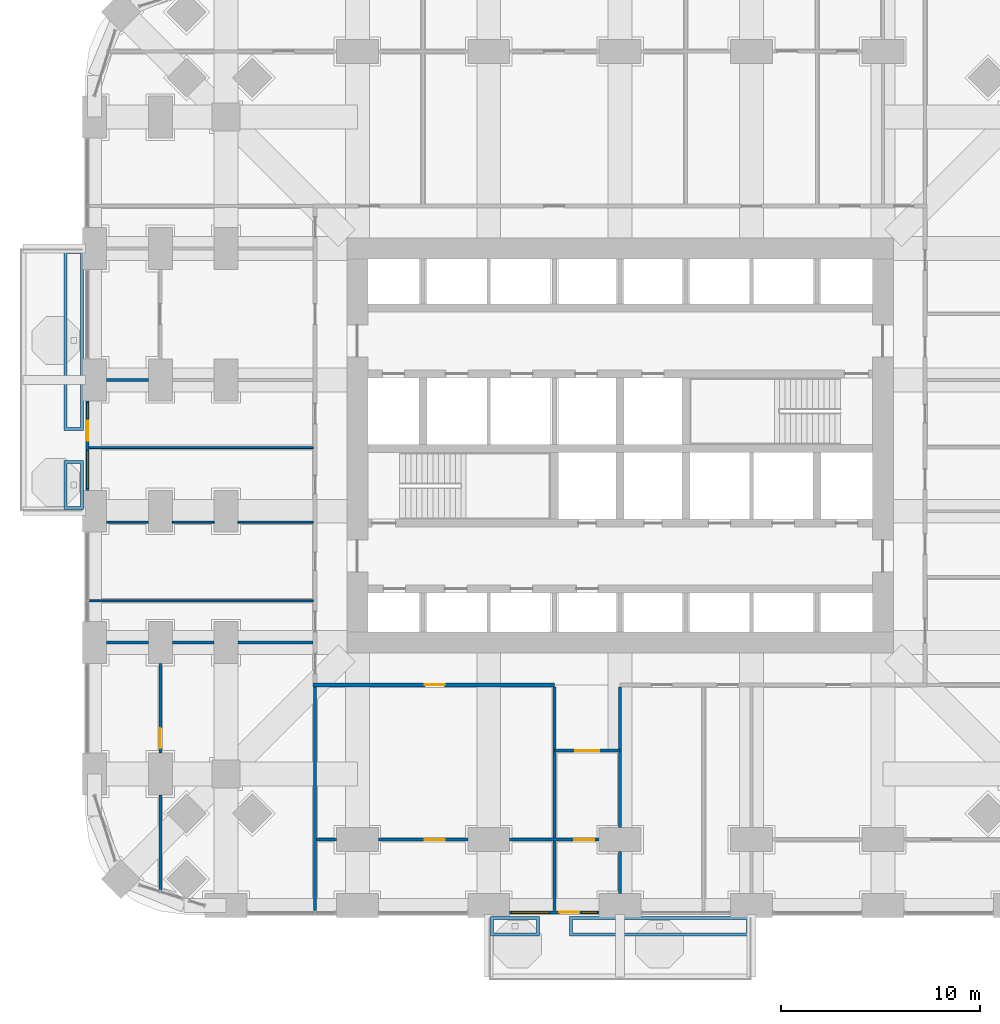
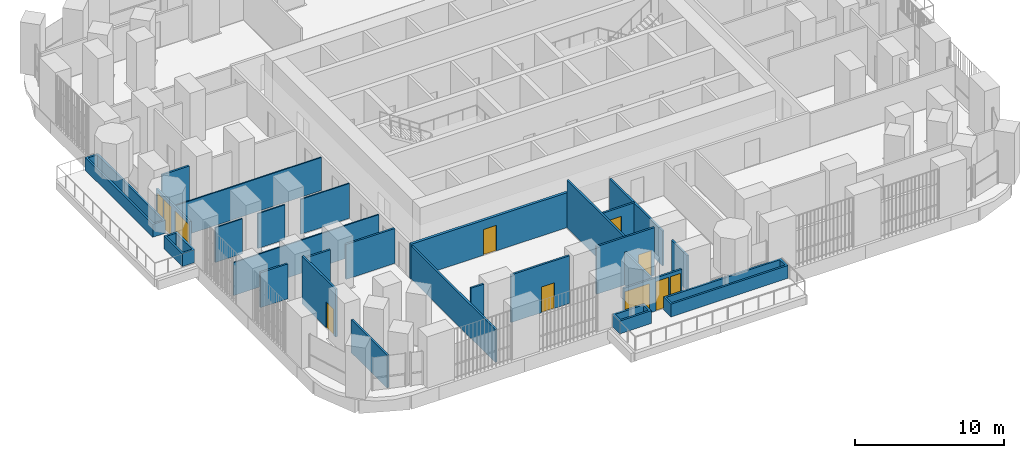
# One storey, part 17 of 26: 27 walls, 7 doors, 4 windows, 11 openings.
"""IFC4 building model written with IfcOpenShell, lengths in metres."""

from ifc_helpers import new_model, si_unit, direction, frame, frame_2d, origin, place, context, subcontext, project, spatial, polyline, rectangle, outline, extrude, material, layer, layer_set, type_object, element, fill, save


model = new_model("IFC4")

# Units and contexts
model_context = context("Model", 3, precision=1e-05, world=origin(), true_north=direction((0.0, 1.0)))
body_context = subcontext(model_context, "Body", "Model", "MODEL_VIEW")
ifc_project = project(units=[si_unit("LENGTHUNIT", "METRE"), si_unit("AREAUNIT", "SQUARE_METRE"), si_unit("VOLUMEUNIT", "CUBIC_METRE"), si_unit("PLANEANGLEUNIT", "RADIAN"), si_unit("MASSUNIT", "GRAM", prefix="KILO")], contexts=[model_context])

# Site, building, storey
site_placement = place(None, origin())
site = spatial("IfcSite", under=ifc_project, at=site_placement, CompositionType="ELEMENT")
building_placement = place(site_placement, origin())
building = spatial("IfcBuilding", under=site, at=building_placement, Name="Cobogo Forest Laboratory Tower", CompositionType="ELEMENT")
storey_placement = place(building_placement, frame((0.0, 0.0, 50.699951171875)))
storey = spatial("IfcBuildingStorey", under=building, at=storey_placement, Name="L11", CompositionType="ELEMENT", Elevation=50.699951171875)

# Wall, openings, door, windows
ifc_material_1 = material(Name="Aluminium framed glazed screen", Category="aluminium")
ifc_layer_1 = layer(ifc_material_1, 0.14990234375)
ifc_layer_set_1 = layer_set([ifc_layer_1], Name="GS1 glazed door screen 150")
wall_type_1 = type_object("IfcWallType", Name="GS1 glazed door screen 150", PredefinedType="SOLIDWALL", material=ifc_layer_set_1)
wall_1_placement = place(storey_placement, frame((20.85009765625, -0.35009765625, 0.0), z_axis=(0.0, 0.0, 1.0), x_axis=(1.0, 0.0, 0.0)))
wall_1 = element("IfcWall", 1, at=wall_1_placement, inside=storey, type_object=wall_type_1, Name="Door screen BAL-S1 L11", PredefinedType="SOLIDWALL", context=body_context, shape_type="SweptSolid", body=[
    extrude(rectangle(XDim=4.5, YDim=0.14990234375, at=frame_2d((2.25, 0.0))), origin(), (0.0, 0.0, 1.0), 2.699951171875),
])
opening_1_placement = place(wall_1_placement, frame((2.5, 0.0, 0.0)))
opening_1 = element("IfcOpeningElement", 2, at=opening_1_placement, cuts=wall_1, Name="Opening L11-D01", PredefinedType="OPENING", context=body_context, shape_type="SweptSolid", body=[
    extrude(rectangle(XDim=1.0, YDim=2.39990234375, at=frame_2d((0.5, 1.199951171875))), frame((0.0, 0.0849609375, 0.0), z_axis=(0.0, -1.0, 0.0), x_axis=(1.0, 0.0, 0.0)), (0.0, 0.0, 1.0), 0.169921875),
])
opening_2_placement = place(wall_1_placement, frame((0.10009765625, 0.0, 0.10009765625)))
opening_2 = element("IfcOpeningElement", 3, at=opening_2_placement, cuts=wall_1, Name="Opening L11-W01", PredefinedType="OPENING", context=body_context, shape_type="SweptSolid", body=[
    extrude(rectangle(XDim=1.89990234375, YDim=2.300048828125, at=frame_2d((0.949951171875, 1.14990234375))), frame((0.0, 0.0849609375, 0.0), z_axis=(0.0, -1.0, 0.0), x_axis=(1.0, 0.0, 0.0)), (0.0, 0.0, 1.0), 0.169921875),
])
opening_3_placement = place(wall_1_placement, frame((3.60009765625, 0.0, 0.10009765625)))
opening_3 = element("IfcOpeningElement", 4, at=opening_3_placement, cuts=wall_1, Name="Opening L11-W02", PredefinedType="OPENING", context=body_context, shape_type="SweptSolid", body=[
    extrude(rectangle(XDim=0.800048828125, YDim=2.300048828125, at=frame_2d((0.39990234375, 1.14990234375))), frame((0.0, 0.0849609375, 0.0), z_axis=(0.0, -1.0, 0.0), x_axis=(1.0, 0.0, 0.0)), (0.0, 0.0, 1.0), 0.169921875),
])
ifc_material_2 = material(Name="Aluminium glazed door", Category="aluminium")
door_type_1 = type_object("IfcDoorType", Name="DB1 balcony door 1000 glazed", OperationType="SINGLE_SWING_LEFT", PredefinedType="DOOR", material=ifc_material_2)
door_1_placement = place(opening_1_placement, origin())
door_1 = element("IfcDoor", 5, at=door_1_placement, inside=storey, type_object=door_type_1, Name="Door L11-BAL-S1", OperationType="SINGLE_SWING_RIGHT", OverallHeight=2.39990234375, OverallWidth=1.0, PredefinedType="DOOR", context=body_context, shape_type="SweptSolid", body=[
    extrude(rectangle(XDim=1.0, YDim=2.39990234375, at=frame_2d((0.5, 1.199951171875))), frame((0.0, 0.02490234375, 0.0), z_axis=(0.0, -1.0, 0.0), x_axis=(1.0, 0.0, 0.0)), (0.0, 0.0, 1.0), 0.050048828125),
])
fill(opening_1, door_1)
ifc_material_3 = material(Name="Aluminium framed glazing", Category="aluminium")
window_type_1 = type_object("IfcWindowType", Name="WG3 fixed glazed light 1900x2300", PartitioningType="SINGLE_PANEL", PredefinedType="WINDOW", material=ifc_material_3)
window_1_placement = place(opening_2_placement, origin())
window_1 = element("IfcWindow", 6, at=window_1_placement, inside=storey, type_object=window_type_1, Name="Window L11-BAL-S1-1", OverallHeight=2.300048828125, OverallWidth=1.89990234375, PartitioningType="SINGLE_PANEL", PredefinedType="WINDOW", context=body_context, shape_type="SweptSolid", body=[
    extrude(rectangle(XDim=1.89990234375, YDim=2.300048828125, at=frame_2d((0.949951171875, 1.14990234375))), frame((0.0, 0.030029296875, 0.0), z_axis=(0.0, -1.0, 0.0), x_axis=(1.0, 0.0, 0.0)), (0.0, 0.0, 1.0), 0.06005859375),
])
fill(opening_2, window_1)
window_type_2 = type_object("IfcWindowType", Name="WG4 fixed glazed light 800x2300", PartitioningType="SINGLE_PANEL", PredefinedType="WINDOW", material=ifc_material_3)
window_2_placement = place(opening_3_placement, origin())
window_2 = element("IfcWindow", 7, at=window_2_placement, inside=storey, type_object=window_type_2, Name="Window L11-BAL-S1-2", OverallHeight=2.300048828125, OverallWidth=0.800048828125, PartitioningType="SINGLE_PANEL", PredefinedType="WINDOW", context=body_context, shape_type="SweptSolid", body=[
    extrude(rectangle(XDim=0.800048828125, YDim=2.300048828125, at=frame_2d((0.39990234375, 1.14990234375))), frame((0.0, 0.030029296875, 0.0), z_axis=(0.0, -1.0, 0.0), x_axis=(1.0, 0.0, 0.0)), (0.0, 0.0, 1.0), 0.06005859375),
])
fill(opening_3, window_2)

wall_2_placement = place(storey_placement, frame((-0.35009765625, 25.35009765625, 0.0), z_axis=(0.0, 0.0, 1.0), x_axis=(0.0, -1.0, 0.0)))
wall_2 = element("IfcWall", 8, at=wall_2_placement, inside=storey, type_object=wall_type_1, Name="Door screen BAL-W1 L11", PredefinedType="SOLIDWALL", context=body_context, shape_type="SweptSolid", body=[
    extrude(rectangle(XDim=4.5, YDim=0.14990234375, at=frame_2d((2.25, 0.0))), origin(), (0.0, 0.0, 1.0), 2.699951171875),
])
opening_4_placement = place(wall_2_placement, frame((1.0, 0.0, 0.0)))
opening_4 = element("IfcOpeningElement", 9, at=opening_4_placement, cuts=wall_2, Name="Opening L11-D25", PredefinedType="OPENING", context=body_context, shape_type="SweptSolid", body=[
    extrude(rectangle(XDim=1.0, YDim=2.39990234375, at=frame_2d((0.5, 1.199951171875))), frame((0.0, 0.0849609375, 0.0), z_axis=(0.0, -1.0, 0.0), x_axis=(1.0, 0.0, 0.0)), (0.0, 0.0, 1.0), 0.169921875),
])
opening_5_placement = place(wall_2_placement, frame((0.10009765625, 0.0, 0.10009765625)))
opening_5 = element("IfcOpeningElement", 10, at=opening_5_placement, cuts=wall_2, Name="Opening L11-W05", PredefinedType="OPENING", context=body_context, shape_type="SweptSolid", body=[
    extrude(rectangle(XDim=0.800048828125, YDim=2.300048828125, at=frame_2d((0.39990234375, 1.14990234375))), frame((0.0, 0.0849609375, 0.0), z_axis=(0.0, -1.0, 0.0), x_axis=(1.0, 0.0, 0.0)), (0.0, 0.0, 1.0), 0.169921875),
])
opening_6_placement = place(wall_2_placement, frame((2.5, 0.0, 0.10009765625)))
opening_6 = element("IfcOpeningElement", 11, at=opening_6_placement, cuts=wall_2, Name="Opening L11-W03", PredefinedType="OPENING", context=body_context, shape_type="SweptSolid", body=[
    extrude(rectangle(XDim=1.89990234375, YDim=2.300048828125, at=frame_2d((0.949951171875, 1.14990234375))), frame((0.0, 0.0849609375, 0.0), z_axis=(0.0, -1.0, 0.0), x_axis=(1.0, 0.0, 0.0)), (0.0, 0.0, 1.0), 0.169921875),
])
door_2_placement = place(opening_4_placement, origin())
door_2 = element("IfcDoor", 12, at=door_2_placement, inside=storey, type_object=door_type_1, Name="Door L11-BAL-W1", OperationType="SINGLE_SWING_LEFT", OverallHeight=2.39990234375, OverallWidth=1.0, PredefinedType="DOOR", context=body_context, shape_type="SweptSolid", body=[
    extrude(rectangle(XDim=1.0, YDim=2.39990234375, at=frame_2d((0.5, 1.199951171875))), frame((0.0, 0.02490234375, 0.0), z_axis=(0.0, -1.0, 0.0), x_axis=(1.0, 0.0, 0.0)), (0.0, 0.0, 1.0), 0.050048828125),
])
fill(opening_4, door_2)
window_3_placement = place(opening_6_placement, origin())
window_3 = element("IfcWindow", 13, at=window_3_placement, inside=storey, type_object=window_type_1, Name="Window L11-BAL-W1-2", OverallHeight=2.300048828125, OverallWidth=1.89990234375, PartitioningType="SINGLE_PANEL", PredefinedType="WINDOW", context=body_context, shape_type="SweptSolid", body=[
    extrude(rectangle(XDim=1.89990234375, YDim=2.300048828125, at=frame_2d((0.949951171875, 1.14990234375))), frame((0.0, 0.030029296875, 0.0), z_axis=(0.0, -1.0, 0.0), x_axis=(1.0, 0.0, 0.0)), (0.0, 0.0, 1.0), 0.06005859375),
])
fill(opening_6, window_3)
window_4_placement = place(opening_5_placement, origin())
window_4 = element("IfcWindow", 14, at=window_4_placement, inside=storey, type_object=window_type_2, Name="Window L11-BAL-W1-1", OverallHeight=2.300048828125, OverallWidth=0.800048828125, PartitioningType="SINGLE_PANEL", PredefinedType="WINDOW", context=body_context, shape_type="SweptSolid", body=[
    extrude(rectangle(XDim=0.800048828125, YDim=2.300048828125, at=frame_2d((0.39990234375, 1.14990234375))), frame((0.0, 0.030029296875, 0.0), z_axis=(0.0, -1.0, 0.0), x_axis=(1.0, 0.0, 0.0)), (0.0, 0.0, 1.0), 0.06005859375),
])
fill(opening_5, window_4)

# Walls
ifc_material_4 = material(Name="Gypsum board on steel studs", Category="steel")
ifc_layer_2 = layer(ifc_material_4, 0.14990234375)
ifc_layer_set_2 = layer_set([ifc_layer_2], Name="PT1 laboratory partition 150")
wall_type_2 = type_object("IfcWallType", Name="PT1 laboratory partition 150", PredefinedType="PARTITIONING", material=ifc_layer_set_2)
wall_3_placement = place(storey_placement, frame((11.074951171875, -0.27001953125, 0.0), z_axis=(0.0, 0.0, 1.0), x_axis=(0.0, 1.0, 0.0)))
element("IfcWall", 15, at=wall_3_placement, inside=storey, type_object=wall_type_2, Name="Partition PW-SW L11", PredefinedType="PARTITIONING", context=body_context, shape_type="SweptSolid", body=[
    extrude(rectangle(XDim=11.2451171875, YDim=0.14990234375, at=frame_2d((5.62255859375, 0.0))), origin(), (0.0, 0.0, 1.0), 2.699951171875),
])
wall_4_placement = place(storey_placement, frame((11.14990234375, 3.300048828125, 0.0), z_axis=(0.0, 0.0, 1.0), x_axis=(1.0, 0.0, 0.0)))
element("IfcWall", 16, at=wall_4_placement, inside=storey, type_object=wall_type_2, Name="Partition STRIP-S-1 L11", PredefinedType="PARTITIONING", context=body_context, shape_type="SweptSolid", body=[
    extrude(rectangle(XDim=1.0, YDim=0.14990234375, at=frame_2d((0.5, 0.0))), origin(), (0.0, 0.0, 1.0), 3.900146484375),
])

# Wall, opening, door
wall_5_placement = place(storey_placement, frame((14.25, 3.300048828125, 0.0), z_axis=(0.0, 0.0, 1.0), x_axis=(1.0, 0.0, 0.0)))
wall_5 = element("IfcWall", 17, at=wall_5_placement, inside=storey, type_object=wall_type_2, Name="Partition STRIP-S-2 L11", PredefinedType="PARTITIONING", context=body_context, shape_type="SweptSolid", body=[
    extrude(rectangle(XDim=4.5, YDim=0.14990234375, at=frame_2d((2.25, 0.0))), origin(), (0.0, 0.0, 1.0), 3.900146484375),
])
opening_7_placement = place(wall_5_placement, frame((2.33740234375, 0.0, 0.0)))
opening_7 = element("IfcOpeningElement", 18, at=opening_7_placement, cuts=wall_5, Name="Opening L11-D02", PredefinedType="OPENING", context=body_context, shape_type="SweptSolid", body=[
    extrude(rectangle(XDim=1.0, YDim=2.10009765625, at=frame_2d((0.5, 1.050048828125))), frame((0.0, 0.0849609375, 0.0), z_axis=(0.0, -1.0, 0.0), x_axis=(1.0, 0.0, 0.0)), (0.0, 0.0, 1.0), 0.169921875),
])
ifc_material_5 = material(Name="Timber fire door", Category="wood")
door_type_2 = type_object("IfcDoorType", Name="FD2 fire door 1000 EI2 30", OperationType="SINGLE_SWING_LEFT", PredefinedType="DOOR", material=ifc_material_5)
door_3_placement = place(opening_7_placement, origin())
door_3 = element("IfcDoor", 19, at=door_3_placement, inside=storey, type_object=door_type_2, Name="Door L11-S1W", OperationType="SINGLE_SWING_RIGHT", OverallHeight=2.10009765625, OverallWidth=1.0, PredefinedType="DOOR", context=body_context, shape_type="SweptSolid", body=[
    extrude(rectangle(XDim=1.0, YDim=2.10009765625, at=frame_2d((0.5, 1.050048828125))), frame((0.0, 0.02490234375, 0.0), z_axis=(0.0, -1.0, 0.0), x_axis=(1.0, 0.0, 0.0)), (0.0, 0.0, 1.0), 0.050048828125),
])
fill(opening_7, door_3)

wall_6_placement = place(storey_placement, frame((20.85009765625, 3.300048828125, 0.0), z_axis=(0.0, 0.0, 1.0), x_axis=(1.0, 0.0, 0.0)))
wall_6 = element("IfcWall", 20, at=wall_6_placement, inside=storey, type_object=wall_type_2, Name="Partition STRIP-S-3 L11", PredefinedType="PARTITIONING", context=body_context, shape_type="SweptSolid", body=[
    extrude(rectangle(XDim=4.5, YDim=0.14990234375, at=frame_2d((2.25, 0.0))), origin(), (0.0, 0.0, 1.0), 3.900146484375),
])
opening_8_placement = place(wall_6_placement, frame((3.25, 0.0, 0.0)))
opening_8 = element("IfcOpeningElement", 21, at=opening_8_placement, cuts=wall_6, Name="Opening L11-D03", PredefinedType="OPENING", context=body_context, shape_type="SweptSolid", body=[
    extrude(rectangle(XDim=1.0, YDim=2.10009765625, at=frame_2d((0.5, 1.050048828125))), frame((0.0, 0.0849609375, 0.0), z_axis=(0.0, -1.0, 0.0), x_axis=(1.0, 0.0, 0.0)), (0.0, 0.0, 1.0), 0.169921875),
])
door_4_placement = place(opening_8_placement, origin())
door_4 = element("IfcDoor", 22, at=door_4_placement, inside=storey, type_object=door_type_2, Name="Door L11-S2W", OperationType="SINGLE_SWING_RIGHT", OverallHeight=2.10009765625, OverallWidth=1.0, PredefinedType="DOOR", context=body_context, shape_type="SweptSolid", body=[
    extrude(rectangle(XDim=1.0, YDim=2.10009765625, at=frame_2d((0.5, 1.050048828125))), frame((0.0, 0.02490234375, 0.0), z_axis=(0.0, -1.0, 0.0), x_axis=(1.0, 0.0, 0.0)), (0.0, 0.0, 1.0), 0.050048828125),
])
fill(opening_8, door_4)

wall_7_placement = place(storey_placement, frame((23.10009765625, 7.77490234375, 0.0), z_axis=(0.0, 0.0, 1.0), x_axis=(1.0, 0.0, 0.0)))
wall_7 = element("IfcWall", 23, at=wall_7_placement, inside=storey, type_object=wall_type_2, Name="Partition NODE-S-1 L11", PredefinedType="PARTITIONING", context=body_context, shape_type="SweptSolid", body=[
    extrude(rectangle(XDim=3.2998046875, YDim=0.14990234375, at=frame_2d((1.64990234375, 0.0))), origin(), (0.0, 0.0, 1.0), 2.85009765625),
])
opening_9_placement = place(wall_7_placement, frame((1.050048828125, 0.0, 0.0)))
opening_9 = element("IfcOpeningElement", 24, at=opening_9_placement, cuts=wall_7, Name="Opening L11-D05", PredefinedType="OPENING", context=body_context, shape_type="SweptSolid", body=[
    extrude(rectangle(XDim=1.199951171875, YDim=2.10009765625, at=frame_2d((0.60009765625, 1.050048828125))), frame((0.0, 0.0849609375, 0.0), z_axis=(0.0, -1.0, 0.0), x_axis=(1.0, 0.0, 0.0)), (0.0, 0.0, 1.0), 0.169921875),
])
ifc_material_6 = material(Name="Timber door", Category="wood")
door_type_3 = type_object("IfcDoorType", Name="D2 laboratory door 1200 unequal pair", OperationType="DOUBLE_DOOR_SINGLE_SWING", PredefinedType="DOOR", material=ifc_material_6)
door_5_placement = place(opening_9_placement, origin())
door_5 = element("IfcDoor", 25, at=door_5_placement, inside=storey, type_object=door_type_3, Name="Door L11-S2", OperationType="DOUBLE_DOOR_SINGLE_SWING", OverallHeight=2.10009765625, OverallWidth=1.199951171875, PredefinedType="DOOR", context=body_context, shape_type="SweptSolid", body=[
    extrude(rectangle(XDim=1.199951171875, YDim=2.10009765625, at=frame_2d((0.60009765625, 1.050048828125))), frame((0.0, 0.02490234375, 0.0), z_axis=(0.0, -1.0, 0.0), x_axis=(1.0, 0.0, 0.0)), (0.0, 0.0, 1.0), 0.050048828125),
])
fill(opening_9, door_5)

# Walls
wall_8_placement = place(storey_placement, frame((23.10009765625, -0.27001953125, 0.0), z_axis=(0.0, 0.0, 1.0), x_axis=(0.0, 1.0, 0.0)))
element("IfcWall", 26, at=wall_8_placement, inside=storey, type_object=wall_type_2, Name="Partition CUT-S23.1a-1 L11", PredefinedType="PARTITIONING", context=body_context, shape_type="SweptSolid", body=[
    extrude(rectangle(XDim=3.4951171875, YDim=0.14990234375, at=frame_2d((1.74755859375, 0.0))), origin(), (0.0, 0.0, 1.0), 2.699951171875),
])
wall_9_placement = place(storey_placement, frame((23.10009765625, 3.375, 0.0), z_axis=(0.0, 0.0, 1.0), x_axis=(0.0, 1.0, 0.0)))
element("IfcWall", 27, at=wall_9_placement, inside=storey, type_object=wall_type_2, Name="Partition CUT-S23.1b-1 L11", PredefinedType="PARTITIONING", context=body_context, shape_type="SweptSolid", body=[
    extrude(rectangle(XDim=7.60009765625, YDim=0.14990234375, at=frame_2d((3.800048828125, 0.0))), origin(), (0.0, 0.0, 1.0), 3.900146484375),
])
wall_10_placement = place(storey_placement, frame((26.39990234375, 0.60009765625, 0.0), z_axis=(0.0, 0.0, 1.0), x_axis=(0.0, 1.0, 0.0)))
element("IfcWall", 28, at=wall_10_placement, inside=storey, type_object=wall_type_2, Name="Partition CUT-S26.4-1 L11", PredefinedType="PARTITIONING", context=body_context, shape_type="SweptSolid", body=[
    extrude(rectangle(XDim=2.099853515625, YDim=0.14990234375, at=frame_2d((1.0498046875, 0.0))), origin(), (0.0, 0.0, 1.0), 2.85009765625),
])
wall_11_placement = place(storey_placement, frame((26.39990234375, 3.89990234375, 0.0), z_axis=(0.0, 0.0, 1.0), x_axis=(0.0, 1.0, 0.0)))
element("IfcWall", 29, at=wall_11_placement, inside=storey, type_object=wall_type_2, Name="Partition CUT-S26.4-2 L11", PredefinedType="PARTITIONING", context=body_context, shape_type="SweptSolid", body=[
    extrude(rectangle(XDim=7.0751953125, YDim=0.14990234375, at=frame_2d((3.53759765625, 0.0))), origin(), (0.0, 0.0, 1.0), 2.85009765625),
])

# Wall, opening, door
wall_12_placement = place(storey_placement, frame((3.300048828125, 12.14990234375, 0.0), z_axis=(0.0, 0.0, 1.0), x_axis=(0.0, -1.0, 0.0)))
wall_12 = element("IfcWall", 30, at=wall_12_placement, inside=storey, type_object=wall_type_2, Name="Partition STRIP-W-2 L11", PredefinedType="PARTITIONING", context=body_context, shape_type="SweptSolid", body=[
    extrude(rectangle(XDim=4.5, YDim=0.14990234375, at=frame_2d((2.25, 0.0))), origin(), (0.0, 0.0, 1.0), 3.900146484375),
])
opening_10_placement = place(wall_12_placement, frame((3.25, 0.0, 0.0)))
opening_10 = element("IfcOpeningElement", 31, at=opening_10_placement, cuts=wall_12, Name="Opening L11-D06", PredefinedType="OPENING", context=body_context, shape_type="SweptSolid", body=[
    extrude(rectangle(XDim=1.0, YDim=2.10009765625, at=frame_2d((0.5, 1.050048828125))), frame((0.0, 0.0849609375, 0.0), z_axis=(0.0, -1.0, 0.0), x_axis=(1.0, 0.0, 0.0)), (0.0, 0.0, 1.0), 0.169921875),
])
door_6_placement = place(opening_10_placement, origin())
door_6 = element("IfcDoor", 32, at=door_6_placement, inside=storey, type_object=door_type_2, Name="Door L11-W1W", OperationType="SINGLE_SWING_RIGHT", OverallHeight=2.10009765625, OverallWidth=1.0, PredefinedType="DOOR", context=body_context, shape_type="SweptSolid", body=[
    extrude(rectangle(XDim=1.0, YDim=2.10009765625, at=frame_2d((0.5, 1.050048828125))), frame((0.0, 0.02490234375, 0.0), z_axis=(0.0, -1.0, 0.0), x_axis=(1.0, 0.0, 0.0)), (0.0, 0.0, 1.0), 0.050048828125),
])
fill(opening_10, door_6)

# Walls
wall_13_placement = place(storey_placement, frame((3.300048828125, 5.550048828125, 0.0), z_axis=(0.0, 0.0, 1.0), x_axis=(0.0, -1.0, 0.0)))
element("IfcWall", 33, at=wall_13_placement, inside=storey, type_object=wall_type_2, Name="Partition STRIP-W-3 L11", PredefinedType="PARTITIONING", context=body_context, shape_type="SweptSolid", body=[
    extrude(rectangle(XDim=4.77392578125, YDim=0.14990234375, at=frame_2d((2.386962890625, 0.0))), origin(), (0.0, 0.0, 1.0), 2.699951171875),
])
wall_14_placement = place(storey_placement, frame((0.60009765625, 13.199951171875, 0.0), z_axis=(0.0, 0.0, 1.0), x_axis=(1.0, 0.0, 0.0)))
element("IfcWall", 34, at=wall_14_placement, inside=storey, type_object=wall_type_2, Name="Partition CUT-W13.2-1 L11", PredefinedType="PARTITIONING", context=body_context, shape_type="SweptSolid", body=[
    extrude(rectangle(XDim=2.099853515625, YDim=0.14990234375, at=frame_2d((1.0498046875, 0.0))), origin(), (0.0, 0.0, 1.0), 2.85009765625),
])
wall_15_placement = place(storey_placement, frame((3.89990234375, 13.199951171875, 0.0), z_axis=(0.0, 0.0, 1.0), x_axis=(1.0, 0.0, 0.0)))
element("IfcWall", 35, at=wall_15_placement, inside=storey, type_object=wall_type_2, Name="Partition CUT-W13.2-2 L11", PredefinedType="PARTITIONING", context=body_context, shape_type="SweptSolid", body=[
    extrude(rectangle(XDim=2.10009765625, YDim=0.14990234375, at=frame_2d((1.050048828125, 0.0))), origin(), (0.0, 0.0, 1.0), 2.85009765625),
])
wall_16_placement = place(storey_placement, frame((7.199951171875, 13.199951171875, 0.0), z_axis=(0.0, 0.0, 1.0), x_axis=(1.0, 0.0, 0.0)))
element("IfcWall", 36, at=wall_16_placement, inside=storey, type_object=wall_type_2, Name="Partition CUT-W13.2-3 L11", PredefinedType="PARTITIONING", context=body_context, shape_type="SweptSolid", body=[
    extrude(rectangle(XDim=3.775146484375, YDim=0.14990234375, at=frame_2d((1.8876953125, 0.0))), origin(), (0.0, 0.0, 1.0), 2.85009765625),
])
wall_17_placement = place(storey_placement, frame((0.60009765625, 26.39990234375, 0.0), z_axis=(0.0, 0.0, 1.0), x_axis=(1.0, 0.0, 0.0)))
element("IfcWall", 37, at=wall_17_placement, inside=storey, type_object=wall_type_2, Name="Partition CUT-W26.4-1 L11", PredefinedType="PARTITIONING", context=body_context, shape_type="SweptSolid", body=[
    extrude(rectangle(XDim=2.099853515625, YDim=0.14990234375, at=frame_2d((1.0498046875, 0.0))), origin(), (0.0, 0.0, 1.0), 2.85009765625),
])

# Wall, opening, door
ifc_layer_3 = layer(ifc_material_4, 0.199951171875)
ifc_layer_set_3 = layer_set([ifc_layer_3], Name="PT2 fire-rated corridor partition 200")
wall_type_3 = type_object("IfcWallType", Name="PT2 fire-rated corridor partition 200", PredefinedType="PARTITIONING", material=ifc_layer_set_3)
wall_18_placement = place(storey_placement, frame((10.97509765625, 11.074951171875, 0.0), z_axis=(0.0, 0.0, 1.0), x_axis=(1.0, 0.0, 0.0)))
wall_18 = element("IfcWall", 38, at=wall_18_placement, inside=storey, type_object=wall_type_3, Name="Partition CORR-S-1 L11", PredefinedType="PARTITIONING", context=body_context, shape_type="SweptSolid", body=[
    extrude(rectangle(XDim=12.125, YDim=0.199951171875, at=frame_2d((6.0625, 0.0))), origin(), (0.0, 0.0, 1.0), 2.85009765625),
])
opening_11_placement = place(wall_18_placement, frame((5.612548828125, 0.0, 0.0)))
opening_11 = element("IfcOpeningElement", 39, at=opening_11_placement, cuts=wall_18, Name="Opening L11-D07", PredefinedType="OPENING", context=body_context, shape_type="SweptSolid", body=[
    extrude(rectangle(XDim=1.0, YDim=2.10009765625, at=frame_2d((0.5, 1.050048828125))), frame((0.0, 0.10986328125, 0.0), z_axis=(0.0, -1.0, 0.0), x_axis=(1.0, 0.0, 0.0)), (0.0, 0.0, 1.0), 0.219970703125),
])
door_7_placement = place(opening_11_placement, origin())
door_7 = element("IfcDoor", 40, at=door_7_placement, inside=storey, type_object=door_type_2, Name="Door L11-S1", OperationType="SINGLE_SWING_RIGHT", OverallHeight=2.10009765625, OverallWidth=1.0, PredefinedType="DOOR", context=body_context, shape_type="SweptSolid", body=[
    extrude(rectangle(XDim=1.0, YDim=2.10009765625, at=frame_2d((0.5, 1.050048828125))), frame((0.0, 0.02490234375, 0.0), z_axis=(0.0, -1.0, 0.0), x_axis=(1.0, 0.0, 0.0)), (0.0, 0.0, 1.0), 0.050048828125),
])
fill(opening_11, door_7)

# Walls
ifc_layer_4 = layer(ifc_material_4, 0.10009765625)
ifc_layer_set_4 = layer_set([ifc_layer_4], Name="PT3 toilet partition 100")
wall_type_4 = type_object("IfcWallType", Name="PT3 toilet partition 100", PredefinedType="PARTITIONING", material=ifc_layer_set_4)
wall_19_placement = place(storey_placement, frame((-0.27001953125, 15.300048828125, 0.0), z_axis=(0.0, 0.0, 1.0), x_axis=(1.0, 0.0, 0.0)))
element("IfcWall", 41, at=wall_19_placement, inside=storey, type_object=wall_type_4, Name="Partition SVC-W1-1 L11", PredefinedType="PARTITIONING", context=body_context, shape_type="SweptSolid", body=[
    extrude(rectangle(XDim=11.2451171875, YDim=0.10009765625, at=frame_2d((5.62255859375, 0.0))), origin(), (0.0, 0.0, 1.0), 2.699951171875),
])
wall_20_placement = place(storey_placement, frame((0.60009765625, 19.25, 0.0), z_axis=(0.0, 0.0, 1.0), x_axis=(1.0, 0.0, 0.0)))
element("IfcWall", 42, at=wall_20_placement, inside=storey, type_object=wall_type_4, Name="Partition SVC-W2-1 L11", PredefinedType="PARTITIONING", context=body_context, shape_type="SweptSolid", body=[
    extrude(rectangle(XDim=2.099853515625, YDim=0.10009765625, at=frame_2d((1.0498046875, 0.0))), origin(), (0.0, 0.0, 1.0), 2.85009765625),
])
wall_21_placement = place(storey_placement, frame((3.89990234375, 19.25, 0.0), z_axis=(0.0, 0.0, 1.0), x_axis=(1.0, 0.0, 0.0)))
element("IfcWall", 43, at=wall_21_placement, inside=storey, type_object=wall_type_4, Name="Partition SVC-W2-2 L11", PredefinedType="PARTITIONING", context=body_context, shape_type="SweptSolid", body=[
    extrude(rectangle(XDim=2.10009765625, YDim=0.10009765625, at=frame_2d((1.050048828125, 0.0))), origin(), (0.0, 0.0, 1.0), 2.85009765625),
])
wall_22_placement = place(storey_placement, frame((7.199951171875, 19.25, 0.0), z_axis=(0.0, 0.0, 1.0), x_axis=(1.0, 0.0, 0.0)))
element("IfcWall", 44, at=wall_22_placement, inside=storey, type_object=wall_type_4, Name="Partition SVC-W2-3 L11", PredefinedType="PARTITIONING", context=body_context, shape_type="SweptSolid", body=[
    extrude(rectangle(XDim=3.775146484375, YDim=0.10009765625, at=frame_2d((1.8876953125, 0.0))), origin(), (0.0, 0.0, 1.0), 2.85009765625),
])
wall_23_placement = place(storey_placement, frame((-0.27001953125, 23.0, 0.0), z_axis=(0.0, 0.0, 1.0), x_axis=(1.0, 0.0, 0.0)))
element("IfcWall", 45, at=wall_23_placement, inside=storey, type_object=wall_type_4, Name="Partition SVC-W3-1 L11", PredefinedType="PARTITIONING", context=body_context, shape_type="SweptSolid", body=[
    extrude(rectangle(XDim=11.2451171875, YDim=0.10009765625, at=frame_2d((5.62255859375, 0.0))), origin(), (0.0, 0.0, 1.0), 2.699951171875),
])
ifc_material_7 = material(Name="Concrete HA-40 (C40/50)", Category="concrete")
ifc_layer_5 = layer(ifc_material_7, 0.14990234375)
ifc_layer_set_5 = layer_set([ifc_layer_5], Name="Planter box 1000x1050")
wall_type_5 = type_object("IfcWallType", Name="Planter box 1000x1050", PredefinedType="USERDEFINED", material=ifc_layer_set_5)
wall_24_placement = place(storey_placement, origin())
element("IfcWall", 46, at=wall_24_placement, inside=storey, type_object=wall_type_5, Name="Planter BAL-S1-1 L11", ObjectType="PLANTER", PredefinedType="USERDEFINED", context=body_context, shape_type="SweptSolid", body=[
    extrude(outline(polyline([(19.89990234375, -1.550048828125), (22.35009765625, -1.550048828125), (22.35009765625, -0.550048828125), (19.89990234375, -0.550048828125), (19.89990234375, -1.550048828125)]), holes=[polyline([(20.050048828125, -1.39990234375), (22.199951171875, -1.39990234375), (22.199951171875, -0.699951171875), (20.050048828125, -0.699951171875), (20.050048828125, -1.39990234375)])]), origin(), (0.0, 0.0, 1.0), 1.050048828125),
])
wall_25_placement = place(storey_placement, origin())
element("IfcWall", 47, at=wall_25_placement, inside=storey, type_object=wall_type_5, Name="Planter BAL-S1-2 L11", ObjectType="PLANTER", PredefinedType="USERDEFINED", context=body_context, shape_type="SweptSolid", body=[
    extrude(outline(polyline([(23.85009765625, -1.550048828125), (32.89990234375, -1.550048828125), (32.89990234375, -0.550048828125), (23.85009765625, -0.550048828125), (23.85009765625, -1.550048828125)]), holes=[polyline([(24.0, -1.39990234375), (32.75, -1.39990234375), (32.75, -0.699951171875), (24.0, -0.699951171875), (24.0, -1.39990234375)])]), origin(), (0.0, 0.0, 1.0), 1.050048828125),
])
wall_26_placement = place(storey_placement, origin())
element("IfcWall", 48, at=wall_26_placement, inside=storey, type_object=wall_type_5, Name="Planter BAL-W1-1 L11", ObjectType="PLANTER", PredefinedType="USERDEFINED", context=body_context, shape_type="SweptSolid", body=[
    extrude(outline(polyline([(-1.550048828125, 19.89990234375), (-0.550048828125, 19.89990234375), (-0.550048828125, 22.35009765625), (-1.550048828125, 22.35009765625), (-1.550048828125, 19.89990234375)]), holes=[polyline([(-1.39990234375, 20.050048828125), (-0.699951171875, 20.050048828125), (-0.699951171875, 22.199951171875), (-1.39990234375, 22.199951171875), (-1.39990234375, 20.050048828125)])]), origin(), (0.0, 0.0, 1.0), 1.050048828125),
])
wall_27_placement = place(storey_placement, origin())
element("IfcWall", 49, at=wall_27_placement, inside=storey, type_object=wall_type_5, Name="Planter BAL-W1-2 L11", ObjectType="PLANTER", PredefinedType="USERDEFINED", context=body_context, shape_type="SweptSolid", body=[
    extrude(outline(polyline([(-1.550048828125, 23.85009765625), (-0.550048828125, 23.85009765625), (-0.550048828125, 32.89990234375), (-1.550048828125, 32.89990234375), (-1.550048828125, 23.85009765625)]), holes=[polyline([(-1.39990234375, 24.0), (-0.699951171875, 24.0), (-0.699951171875, 32.75), (-1.39990234375, 32.75), (-1.39990234375, 24.0)])]), origin(), (0.0, 0.0, 1.0), 1.050048828125),
])

save(model, "model.ifc")
